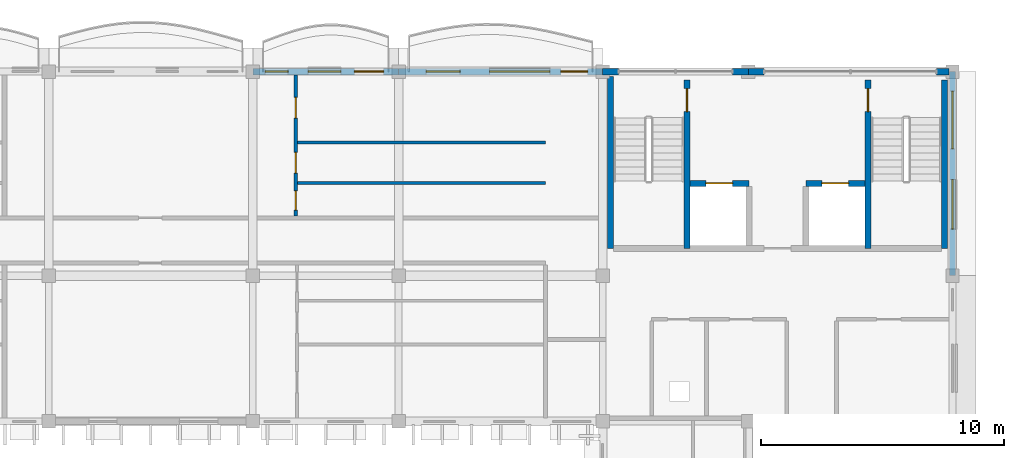
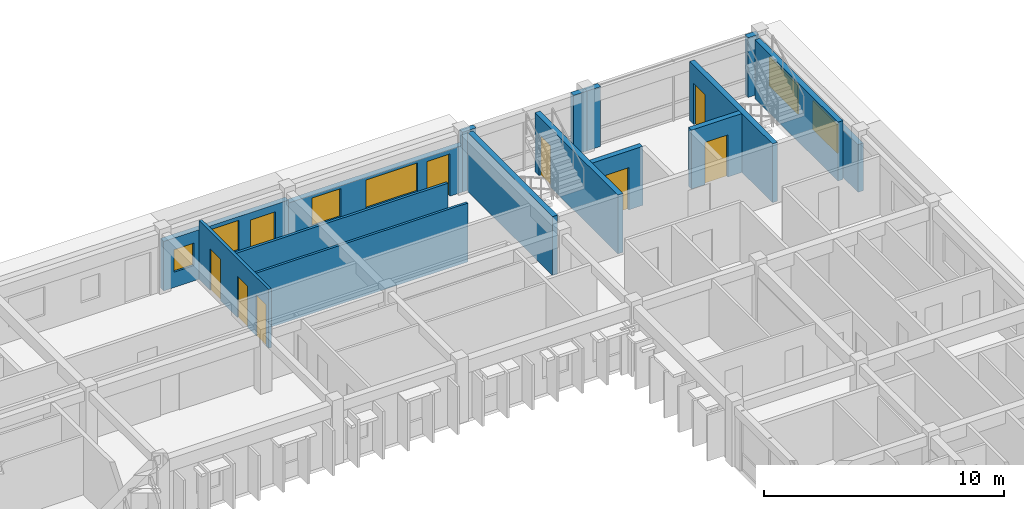
# One storey, part 36 of 54: 16 walls, 9 doors, 6 windows, 15 openings.
"""IFC4 building model written with IfcOpenShell, lengths in metres."""

from ifc_helpers import new_model, si_unit, direction, frame, frame_2d, origin, place, context, subcontext, project, spatial, rectangle, extrude, material, layer, layer_set, type_object, element, fill, save


model = new_model("IFC4")

# Units and contexts
model_context = context("Model", 3, precision=1e-05, world=origin(), true_north=direction((0.0, 1.0)))
body_context = subcontext(model_context, "Body", "Model", "MODEL_VIEW")
ifc_project = project(units=[si_unit("LENGTHUNIT", "METRE"), si_unit("AREAUNIT", "SQUARE_METRE"), si_unit("VOLUMEUNIT", "CUBIC_METRE"), si_unit("PLANEANGLEUNIT", "RADIAN"), si_unit("MASSUNIT", "GRAM", prefix="KILO"), si_unit("THERMODYNAMICTEMPERATUREUNIT", "KELVIN")], contexts=[model_context])

# Site, building, storey
site_placement = place(None, origin())
site = spatial("IfcSite", under=ifc_project, at=site_placement, CompositionType="ELEMENT")
building_placement = place(site_placement, origin())
building = spatial("IfcBuilding", under=site, at=building_placement, Name="Thalorik Housing Commons", CompositionType="ELEMENT")
storey_placement = place(building_placement, frame((0.0, 0.0, 31.199951171875)))
storey = spatial("IfcBuildingStorey", under=building, at=storey_placement, Name="L09", CompositionType="ELEMENT", Elevation=31.199951171875)

# Wall, opening, door
ifc_material_1 = material(Name="Concrete C40/50", Category="concrete")
ifc_layer_1 = layer(ifc_material_1, 0.25, Name="Concrete C40/50", Category="concrete")
ifc_layer_set_1 = layer_set([ifc_layer_1], Name="Concrete C40/50")
wall_type_1 = type_object("IfcWallType", Name="ARC-WAL-CORE-250", PredefinedType="SHEAR", material=ifc_layer_set_1)
wall_1_placement = place(storey_placement, frame((155.875, 123.25, 0.0), z_axis=(0.0, 0.0, 1.0), x_axis=(0.0, -1.0, 0.0)))
wall_1 = element("IfcWall", 1, at=wall_1_placement, inside=storey, type_object=wall_type_1, Name="L09 Core B Stair 1 Shear Wall", PredefinedType="SHEAR", context=body_context, shape_type="SweptSolid", body=[
    extrude(rectangle(XDim=6.925048828125, YDim=0.25, at=frame_2d((3.46240234375, 0.0))), origin(), (0.0, 0.0, 1.0), 3.0),
])
opening_1_placement = place(wall_1_placement, frame((0.35009765625, 0.0, 0.0)))
opening_1 = element("IfcOpeningElement", 2, at=opening_1_placement, cuts=wall_1, Name="Opening ID-0217", PredefinedType="OPENING", context=body_context, shape_type="SweptSolid", body=[
    extrude(rectangle(XDim=0.949951171875, YDim=2.10009765625, at=frame_2d((0.47509765625, 1.050048828125))), frame((0.0, 0.135009765625, 0.0), z_axis=(0.0, -1.0, 0.0), x_axis=(1.0, 0.0, 0.0)), (0.0, 0.0, 1.0), 0.27001953125),
])
ifc_material_2 = material(Name="Steel S355", Category="steel")
door_type_1 = type_object("IfcDoorType", Name="ARC-DR-FD60-950", OperationType="NOTDEFINED", PredefinedType="DOOR", material=ifc_material_2)
door_1_placement = place(opening_1_placement, origin())
door_1 = element("IfcDoor", 3, at=door_1_placement, inside=storey, type_object=door_type_1, Name="L09 Stair ST-B1 Fire Door", OperationType="SINGLE_SWING_RIGHT", OverallHeight=2.10009765625, OverallWidth=0.949951171875, PredefinedType="DOOR", context=body_context, shape_type="SweptSolid", body=[
    extrude(rectangle(XDim=0.949951171875, YDim=2.10009765625, at=frame_2d((0.47509765625, 1.050048828125))), frame((0.0, 0.02490234375, 0.0), z_axis=(0.0, -1.0, 0.0), x_axis=(1.0, 0.0, 0.0)), (0.0, 0.0, 1.0), 0.050048828125),
])
fill(opening_1, door_1)

# Walls
wall_2_placement = place(storey_placement, frame((152.72509765625, 123.39990234375, 0.0), z_axis=(0.0, 0.0, 1.0), x_axis=(0.0, -1.0, 0.0)))
element("IfcWall", 4, at=wall_2_placement, inside=storey, type_object=wall_type_1, Name="L09 Core B Stair 1 Outer Shear Wall", PredefinedType="SHEAR", context=body_context, shape_type="SweptSolid", body=[
    extrude(rectangle(XDim=7.074951171875, YDim=0.25, at=frame_2d((3.53759765625, 0.0))), origin(), (0.0, 0.0, 1.0), 3.0),
])
wall_3_placement = place(storey_placement, frame((166.47509765625, 123.25, 0.0), z_axis=(0.0, 0.0, 1.0), x_axis=(0.0, -1.0, 0.0)))
element("IfcWall", 5, at=wall_3_placement, inside=storey, type_object=wall_type_1, Name="L09 Core B Stair 2 Outer Shear Wall", PredefinedType="SHEAR", context=body_context, shape_type="SweptSolid", body=[
    extrude(rectangle(XDim=6.925048828125, YDim=0.25, at=frame_2d((3.46240234375, 0.0))), origin(), (0.0, 0.0, 1.0), 3.0),
])

# Wall, opening, door
wall_4_placement = place(storey_placement, frame((163.324951171875, 123.25, 0.0), z_axis=(0.0, 0.0, 1.0), x_axis=(0.0, -1.0, 0.0)))
wall_4 = element("IfcWall", 6, at=wall_4_placement, inside=storey, type_object=wall_type_1, Name="L09 Core B Stair 2 Shear Wall", PredefinedType="SHEAR", context=body_context, shape_type="SweptSolid", body=[
    extrude(rectangle(XDim=6.925048828125, YDim=0.25, at=frame_2d((3.46240234375, 0.0))), origin(), (0.0, 0.0, 1.0), 3.0),
])
opening_2_placement = place(wall_4_placement, frame((0.35009765625, 0.0, 0.0)))
opening_2 = element("IfcOpeningElement", 7, at=opening_2_placement, cuts=wall_4, Name="Opening ID-0218", PredefinedType="OPENING", context=body_context, shape_type="SweptSolid", body=[
    extrude(rectangle(XDim=0.949951171875, YDim=2.10009765625, at=frame_2d((0.47509765625, 1.050048828125))), frame((0.0, 0.135009765625, 0.0), z_axis=(0.0, -1.0, 0.0), x_axis=(1.0, 0.0, 0.0)), (0.0, 0.0, 1.0), 0.27001953125),
])
door_2_placement = place(opening_2_placement, origin())
door_2 = element("IfcDoor", 8, at=door_2_placement, inside=storey, type_object=door_type_1, Name="L09 Stair ST-B2 Fire Door", OperationType="SINGLE_SWING_LEFT", OverallHeight=2.10009765625, OverallWidth=0.949951171875, PredefinedType="DOOR", context=body_context, shape_type="SweptSolid", body=[
    extrude(rectangle(XDim=0.949951171875, YDim=2.10009765625, at=frame_2d((0.47509765625, 1.050048828125))), frame((0.0, 0.02490234375, 0.0), z_axis=(0.0, -1.0, 0.0), x_axis=(1.0, 0.0, 0.0)), (0.0, 0.0, 1.0), 0.050048828125),
])
fill(opening_2, door_2)

wall_5_placement = place(storey_placement, frame((156.0, 119.0, 0.0), z_axis=(0.0, 0.0, 1.0), x_axis=(1.0, 0.0, 0.0)))
wall_5 = element("IfcWall", 9, at=wall_5_placement, inside=storey, type_object=wall_type_1, Name="L09 Lift LF-B1 Front Shaft Wall", PredefinedType="SHEAR", context=body_context, shape_type="SweptSolid", body=[
    extrude(rectangle(XDim=2.425048828125, YDim=0.25, at=frame_2d((1.21240234375, 0.0))), origin(), (0.0, 0.0, 1.0), 3.0),
])
opening_3_placement = place(wall_5_placement, frame((0.64990234375, 0.0, 0.0)))
opening_3 = element("IfcOpeningElement", 10, at=opening_3_placement, cuts=wall_5, Name="Opening LD-LF-B1-L09", PredefinedType="OPENING", context=body_context, shape_type="SweptSolid", body=[
    extrude(rectangle(XDim=1.10009765625, YDim=2.14990234375, at=frame_2d((0.550048828125, 1.074951171875))), frame((0.0, 0.135009765625, 0.0), z_axis=(0.0, -1.0, 0.0), x_axis=(1.0, 0.0, 0.0)), (0.0, 0.0, 1.0), 0.27001953125),
])
door_type_2 = type_object("IfcDoorType", Name="ARC-DR-LIFT-1100", OperationType="NOTDEFINED", PredefinedType="DOOR", material=ifc_material_2)
door_3_placement = place(opening_3_placement, origin())
door_3 = element("IfcDoor", 11, at=door_3_placement, inside=storey, type_object=door_type_2, Name="L09 Lift LF-B1 Landing Door", OperationType="SLIDING_TO_LEFT", OverallHeight=2.14990234375, OverallWidth=1.10009765625, PredefinedType="DOOR", context=body_context, shape_type="SweptSolid", body=[
    extrude(rectangle(XDim=1.10009765625, YDim=2.14990234375, at=frame_2d((0.550048828125, 1.074951171875))), frame((0.0, 0.02490234375, 0.0), z_axis=(0.0, -1.0, 0.0), x_axis=(1.0, 0.0, 0.0)), (0.0, 0.0, 1.0), 0.050048828125),
])
fill(opening_3, door_3)

wall_6_placement = place(storey_placement, frame((160.77490234375, 119.0, 0.0), z_axis=(0.0, 0.0, 1.0), x_axis=(1.0, 0.0, 0.0)))
wall_6 = element("IfcWall", 12, at=wall_6_placement, inside=storey, type_object=wall_type_1, Name="L09 Lift LP-B2 Front Shaft Wall", PredefinedType="SHEAR", context=body_context, shape_type="SweptSolid", body=[
    extrude(rectangle(XDim=2.425048828125, YDim=0.25, at=frame_2d((1.21240234375, 0.0))), origin(), (0.0, 0.0, 1.0), 3.0),
])
opening_4_placement = place(wall_6_placement, frame((0.64990234375, 0.0, 0.0)))
opening_4 = element("IfcOpeningElement", 13, at=opening_4_placement, cuts=wall_6, Name="Opening LD-LP-B2-L09", PredefinedType="OPENING", context=body_context, shape_type="SweptSolid", body=[
    extrude(rectangle(XDim=1.10009765625, YDim=2.14990234375, at=frame_2d((0.550048828125, 1.074951171875))), frame((0.0, 0.135009765625, 0.0), z_axis=(0.0, -1.0, 0.0), x_axis=(1.0, 0.0, 0.0)), (0.0, 0.0, 1.0), 0.27001953125),
])
door_4_placement = place(opening_4_placement, origin())
door_4 = element("IfcDoor", 14, at=door_4_placement, inside=storey, type_object=door_type_2, Name="L09 Lift LP-B2 Landing Door", OperationType="SLIDING_TO_LEFT", OverallHeight=2.14990234375, OverallWidth=1.10009765625, PredefinedType="DOOR", context=body_context, shape_type="SweptSolid", body=[
    extrude(rectangle(XDim=1.10009765625, YDim=2.14990234375, at=frame_2d((0.550048828125, 1.074951171875))), frame((0.0, 0.02490234375, 0.0), z_axis=(0.0, -1.0, 0.0), x_axis=(1.0, 0.0, 0.0)), (0.0, 0.0, 1.0), 0.050048828125),
])
fill(opening_4, door_4)

# Wall, openings, windows
ifc_material_3 = material(Name="White precast concrete C40/50", Category="concrete")
ifc_layer_2 = layer(ifc_material_3, 0.264892578125, Name="White precast concrete C40/50", Category="concrete")
ifc_layer_set_2 = layer_set([ifc_layer_2], Name="White precast concrete C40/50")
wall_type_2 = type_object("IfcWallType", Name="ARC-WAL-EXT-265", PredefinedType="STANDARD", material=ifc_layer_set_2)
wall_7_placement = place(storey_placement, frame((166.800048828125, 115.199951171875, 0.0), z_axis=(0.0, 0.0, 1.0), x_axis=(0.0, 1.0, 0.0)))
wall_7 = element("IfcWall", 15, at=wall_7_placement, inside=storey, type_object=wall_type_2, Name="L09 Exterior Wall WAL-EXT-L09-B-0708", PredefinedType="STANDARD", context=body_context, shape_type="SweptSolid", body=[
    extrude(rectangle(XDim=8.400146484375, YDim=0.264892578125, at=frame_2d((4.2001953125, 0.0))), origin(), (0.0, 0.0, 1.0), 2.425048828125),
])
opening_5_placement = place(wall_7_placement, frame((1.911376953125, 0.0, 0.780029296875)))
opening_5 = element("IfcOpeningElement", 16, at=opening_5_placement, cuts=wall_7, Name="Opening W-62", PredefinedType="OPENING", context=body_context, shape_type="SweptSolid", body=[
    extrude(rectangle(XDim=2.0400390625, YDim=1.4599609375, at=frame_2d((1.02001953125, 0.72998046875))), frame((0.0, 0.142578125, 0.0), z_axis=(0.0, -1.0, 0.0), x_axis=(1.0, 0.0, 0.0)), (0.0, 0.0, 1.0), 0.284912109375),
])
opening_6_placement = place(wall_7_placement, frame((5.2138671875, 0.0, 0.780029296875)))
opening_6 = element("IfcOpeningElement", 17, at=opening_6_placement, cuts=wall_7, Name="Opening W-69", PredefinedType="OPENING", context=body_context, shape_type="SweptSolid", body=[
    extrude(rectangle(XDim=2.3798828125, YDim=1.47998046875, at=frame_2d((1.18994140625, 0.739990234375))), frame((0.0, 0.142578125, 0.0), z_axis=(0.0, -1.0, 0.0), x_axis=(1.0, 0.0, 0.0)), (0.0, 0.0, 1.0), 0.284912109375),
])
ifc_material_4 = material(Name="Anodised aluminium and solar-control low-E glass", Category="aluminium")
window_type_1 = type_object("IfcWindowType", Name="ARC-WIN-62", PartitioningType="DOUBLE_PANEL_VERTICAL", PredefinedType="WINDOW", material=ifc_material_4)
window_1_placement = place(opening_5_placement, origin())
window_1 = element("IfcWindow", 18, at=window_1_placement, inside=storey, type_object=window_type_1, Name="L09 Facade Window 1303", OverallHeight=1.4599609375, OverallWidth=2.0400390625, PartitioningType="DOUBLE_PANEL_VERTICAL", PredefinedType="WINDOW", context=body_context, shape_type="SweptSolid", body=[
    extrude(rectangle(XDim=2.0400390625, YDim=1.4599609375, at=frame_2d((1.02001953125, 0.72998046875))), frame((0.0, 0.030029296875, 0.0), z_axis=(0.0, -1.0, 0.0), x_axis=(1.0, 0.0, 0.0)), (0.0, 0.0, 1.0), 0.06005859375),
])
fill(opening_5, window_1)
window_type_2 = type_object("IfcWindowType", Name="ARC-WIN-69", PartitioningType="DOUBLE_PANEL_VERTICAL", PredefinedType="WINDOW", material=ifc_material_4)
window_2_placement = place(opening_6_placement, origin())
window_2 = element("IfcWindow", 19, at=window_2_placement, inside=storey, type_object=window_type_2, Name="L09 Facade Window 1304", OverallHeight=1.47998046875, OverallWidth=2.3798828125, PartitioningType="DOUBLE_PANEL_VERTICAL", PredefinedType="WINDOW", context=body_context, shape_type="SweptSolid", body=[
    extrude(rectangle(XDim=2.3798828125, YDim=1.47998046875, at=frame_2d((1.18994140625, 0.739990234375))), frame((0.0, 0.030029296875, 0.0), z_axis=(0.0, -1.0, 0.0), x_axis=(1.0, 0.0, 0.0)), (0.0, 0.0, 1.0), 0.06005859375),
])
fill(opening_6, window_2)

# Walls
wall_8_placement = place(storey_placement, frame((166.66552734375, 123.60009765625, 0.0), z_axis=(0.0, 0.0, 1.0), x_axis=(-1.0, 0.0, 0.0)))
element("IfcWall", 20, at=wall_8_placement, inside=storey, type_object=wall_type_2, Name="L09 Exterior Wall WAL-PIERL-L09-B-0709", PredefinedType="STANDARD", context=body_context, shape_type="SweptSolid", body=[
    extrude(rectangle(XDim=0.515625, YDim=0.264892578125, at=frame_2d((0.2578125, 0.0))), origin(), (0.0, 0.0, 1.0), 3.0400390625),
])
wall_9_placement = place(storey_placement, frame((159.050048828125, 123.60009765625, 0.0), z_axis=(0.0, 0.0, 1.0), x_axis=(-1.0, 0.0, 0.0)))
element("IfcWall", 21, at=wall_9_placement, inside=storey, type_object=wall_type_2, Name="L09 Exterior Wall WAL-PIERR-L09-B-0709", PredefinedType="STANDARD", context=body_context, shape_type="SweptSolid", body=[
    extrude(rectangle(XDim=0.650146484375, YDim=0.264892578125, at=frame_2d((0.3251953125, 0.0))), origin(), (0.0, 0.0, 1.0), 3.0400390625),
])
wall_10_placement = place(storey_placement, frame((158.39990234375, 123.60009765625, 0.0), z_axis=(0.0, 0.0, 1.0), x_axis=(-1.0, 0.0, 0.0)))
element("IfcWall", 22, at=wall_10_placement, inside=storey, type_object=wall_type_2, Name="L09 Exterior Wall WAL-PIERL-L09-B-0710", PredefinedType="STANDARD", context=body_context, shape_type="SweptSolid", body=[
    extrude(rectangle(XDim=0.64990234375, YDim=0.264892578125, at=frame_2d((0.324951171875, 0.0))), origin(), (0.0, 0.0, 1.0), 3.0400390625),
])
wall_11_placement = place(storey_placement, frame((153.050048828125, 123.60009765625, 0.0), z_axis=(0.0, 0.0, 1.0), x_axis=(-1.0, 0.0, 0.0)))
element("IfcWall", 23, at=wall_11_placement, inside=storey, type_object=wall_type_2, Name="L09 Exterior Wall WAL-PIERR-L09-B-0710", PredefinedType="STANDARD", context=body_context, shape_type="SweptSolid", body=[
    extrude(rectangle(XDim=0.650146484375, YDim=0.264892578125, at=frame_2d((0.3251953125, 0.0))), origin(), (0.0, 0.0, 1.0), 3.0400390625),
])

# Wall, openings, door, windows
wall_12_placement = place(storey_placement, frame((152.39990234375, 123.60009765625, 0.0), z_axis=(0.0, 0.0, 1.0), x_axis=(-1.0, 0.0, 0.0)))
wall_12 = element("IfcWall", 24, at=wall_12_placement, inside=storey, type_object=wall_type_2, Name="L09 Exterior Wall WAL-EXT-L09-B-0711", PredefinedType="STANDARD", context=body_context, shape_type="SweptSolid", body=[
    extrude(rectangle(XDim=8.39990234375, YDim=0.264892578125, at=frame_2d((4.199951171875, 0.0))), origin(), (0.0, 0.0, 1.0), 2.375),
])
opening_7_placement = place(wall_12_placement, frame((0.6201171875, 0.0, 0.0)))
opening_7 = element("IfcOpeningElement", 25, at=opening_7_placement, cuts=wall_12, Name="Opening ED-0236", PredefinedType="OPENING", context=body_context, shape_type="SweptSolid", body=[
    extrude(rectangle(XDim=1.10009765625, YDim=2.14990234375, at=frame_2d((0.550048828125, 1.074951171875))), frame((0.0, 0.142578125, 0.0), z_axis=(0.0, -1.0, 0.0), x_axis=(1.0, 0.0, 0.0)), (0.0, 0.0, 1.0), 0.284912109375),
])
opening_8_placement = place(wall_12_placement, frame((2.175048828125, 0.0, 0.780029296875)))
opening_8 = element("IfcOpeningElement", 26, at=opening_8_placement, cuts=wall_12, Name="Opening W-71", PredefinedType="OPENING", context=body_context, shape_type="SweptSolid", body=[
    extrude(rectangle(XDim=2.47998046875, YDim=1.4599609375, at=frame_2d((1.239990234375, 0.72998046875))), frame((0.0, 0.142578125, 0.0), z_axis=(0.0, -1.0, 0.0), x_axis=(1.0, 0.0, 0.0)), (0.0, 0.0, 1.0), 0.284912109375),
])
opening_9_placement = place(wall_12_placement, frame((5.864990234375, 0.0, 0.780029296875)))
opening_9 = element("IfcOpeningElement", 27, at=opening_9_placement, cuts=wall_12, Name="Opening W-08", PredefinedType="OPENING", context=body_context, shape_type="SweptSolid", body=[
    extrude(rectangle(XDim=1.39990234375, YDim=1.449951171875, at=frame_2d((0.699951171875, 0.72509765625))), frame((0.0, 0.142578125, 0.0), z_axis=(0.0, -1.0, 0.0), x_axis=(1.0, 0.0, 0.0)), (0.0, 0.0, 1.0), 0.284912109375),
])
ifc_material_5 = material(Name="Anodised aluminium and laminated safety glass", Category="aluminium")
door_type_3 = type_object("IfcDoorType", Name="ARC-DR-BAL-1100", OperationType="NOTDEFINED", PredefinedType="DOOR", material=ifc_material_5)
door_5_placement = place(opening_7_placement, frame((1.10009765625, 0.0, 0.0), z_axis=(0.0, 0.0, 1.0), x_axis=(-1.0, 0.0, 0.0)))
door_5 = element("IfcDoor", 28, at=door_5_placement, inside=storey, type_object=door_type_3, Name="L09 Block B Balcony Glazed Door", OperationType="SINGLE_SWING_LEFT", OverallHeight=2.14990234375, OverallWidth=1.10009765625, PredefinedType="DOOR", context=body_context, shape_type="SweptSolid", body=[
    extrude(rectangle(XDim=1.10009765625, YDim=2.14990234375, at=frame_2d((0.550048828125, 1.074951171875))), frame((0.0, 0.02490234375, 0.0), z_axis=(0.0, -1.0, 0.0), x_axis=(1.0, 0.0, 0.0)), (0.0, 0.0, 1.0), 0.050048828125),
])
fill(opening_7, door_5)
window_type_3 = type_object("IfcWindowType", Name="ARC-WIN-08", PartitioningType="SINGLE_PANEL", PredefinedType="WINDOW", material=ifc_material_4)
window_3_placement = place(opening_9_placement, origin())
window_3 = element("IfcWindow", 29, at=window_3_placement, inside=storey, type_object=window_type_3, Name="L09 Facade Window 1306", OverallHeight=1.449951171875, OverallWidth=1.39990234375, PartitioningType="SINGLE_PANEL", PredefinedType="WINDOW", context=body_context, shape_type="SweptSolid", body=[
    extrude(rectangle(XDim=1.39990234375, YDim=1.449951171875, at=frame_2d((0.699951171875, 0.72509765625))), frame((0.0, 0.030029296875, 0.0), z_axis=(0.0, -1.0, 0.0), x_axis=(1.0, 0.0, 0.0)), (0.0, 0.0, 1.0), 0.06005859375),
])
fill(opening_9, window_3)
window_type_4 = type_object("IfcWindowType", Name="ARC-WIN-71", PartitioningType="DOUBLE_PANEL_VERTICAL", PredefinedType="WINDOW", material=ifc_material_4)
window_4_placement = place(opening_8_placement, origin())
window_4 = element("IfcWindow", 30, at=window_4_placement, inside=storey, type_object=window_type_4, Name="L09 Facade Window 1305", OverallHeight=1.4599609375, OverallWidth=2.47998046875, PartitioningType="DOUBLE_PANEL_VERTICAL", PredefinedType="WINDOW", context=body_context, shape_type="SweptSolid", body=[
    extrude(rectangle(XDim=2.47998046875, YDim=1.4599609375, at=frame_2d((1.239990234375, 0.72998046875))), frame((0.0, 0.030029296875, 0.0), z_axis=(0.0, -1.0, 0.0), x_axis=(1.0, 0.0, 0.0)), (0.0, 0.0, 1.0), 0.06005859375),
])
fill(opening_8, window_4)

wall_13_placement = place(storey_placement, frame((144.0, 123.60009765625, 0.0), z_axis=(0.0, 0.0, 1.0), x_axis=(-1.0, 0.0, 0.0)))
wall_13 = element("IfcWall", 31, at=wall_13_placement, inside=storey, type_object=wall_type_2, Name="L09 Exterior Wall WAL-EXT-L09-B-0712", PredefinedType="STANDARD", context=body_context, shape_type="SweptSolid", body=[
    extrude(rectangle(XDim=6.0, YDim=0.264892578125, at=frame_2d((3.0, 0.0))), origin(), (0.0, 0.0, 1.0), 2.525146484375),
])
opening_10_placement = place(wall_13_placement, frame((0.6201171875, 0.0, 0.0)))
opening_10 = element("IfcOpeningElement", 32, at=opening_10_placement, cuts=wall_13, Name="Opening ED-0237", PredefinedType="OPENING", context=body_context, shape_type="SweptSolid", body=[
    extrude(rectangle(XDim=1.199951171875, YDim=2.14990234375, at=frame_2d((0.60009765625, 1.074951171875))), frame((0.0, 0.142578125, 0.0), z_axis=(0.0, -1.0, 0.0), x_axis=(1.0, 0.0, 0.0)), (0.0, 0.0, 1.0), 0.284912109375),
])
opening_11_placement = place(wall_13_placement, frame((2.375244140625, 0.0, 0.780029296875)))
opening_11 = element("IfcOpeningElement", 33, at=opening_11_placement, cuts=wall_13, Name="Opening W-07", PredefinedType="OPENING", context=body_context, shape_type="SweptSolid", body=[
    extrude(rectangle(XDim=1.35009765625, YDim=1.550048828125, at=frame_2d((0.675048828125, 0.77490234375))), frame((0.0, 0.142578125, 0.0), z_axis=(0.0, -1.0, 0.0), x_axis=(1.0, 0.0, 0.0)), (0.0, 0.0, 1.0), 0.284912109375),
])
opening_12_placement = place(wall_13_placement, frame((4.545166015625, 0.0, 0.780029296875)))
opening_12 = element("IfcOpeningElement", 34, at=opening_12_placement, cuts=wall_13, Name="Opening W-43", PredefinedType="OPENING", context=body_context, shape_type="SweptSolid", body=[
    extrude(rectangle(XDim=0.949951171875, YDim=1.14990234375, at=frame_2d((0.47509765625, 0.574951171875))), frame((0.0, 0.142578125, 0.0), z_axis=(0.0, -1.0, 0.0), x_axis=(1.0, 0.0, 0.0)), (0.0, 0.0, 1.0), 0.284912109375),
])
door_type_4 = type_object("IfcDoorType", Name="ARC-DR-BAL-1200", OperationType="NOTDEFINED", PredefinedType="DOOR", material=ifc_material_5)
door_6_placement = place(opening_10_placement, frame((1.199951171875, 0.0, 0.0), z_axis=(0.0, 0.0, 1.0), x_axis=(-1.0, 0.0, 0.0)))
door_6 = element("IfcDoor", 35, at=door_6_placement, inside=storey, type_object=door_type_4, Name="L09 Block B Balcony Glazed Door", OperationType="SINGLE_SWING_RIGHT", OverallHeight=2.14990234375, OverallWidth=1.199951171875, PredefinedType="DOOR", context=body_context, shape_type="SweptSolid", body=[
    extrude(rectangle(XDim=1.199951171875, YDim=2.14990234375, at=frame_2d((0.60009765625, 1.074951171875))), frame((0.0, 0.02490234375, 0.0), z_axis=(0.0, -1.0, 0.0), x_axis=(1.0, 0.0, 0.0)), (0.0, 0.0, 1.0), 0.050048828125),
])
fill(opening_10, door_6)
window_type_5 = type_object("IfcWindowType", Name="ARC-WIN-07", PartitioningType="SINGLE_PANEL", PredefinedType="WINDOW", material=ifc_material_4)
window_5_placement = place(opening_11_placement, origin())
window_5 = element("IfcWindow", 36, at=window_5_placement, inside=storey, type_object=window_type_5, Name="L09 Facade Window 1307", OverallHeight=1.550048828125, OverallWidth=1.35009765625, PartitioningType="SINGLE_PANEL", PredefinedType="WINDOW", context=body_context, shape_type="SweptSolid", body=[
    extrude(rectangle(XDim=1.35009765625, YDim=1.550048828125, at=frame_2d((0.675048828125, 0.77490234375))), frame((0.0, 0.030029296875, 0.0), z_axis=(0.0, -1.0, 0.0), x_axis=(1.0, 0.0, 0.0)), (0.0, 0.0, 1.0), 0.06005859375),
])
fill(opening_11, window_5)
window_type_6 = type_object("IfcWindowType", Name="ARC-WIN-43", PartitioningType="SINGLE_PANEL", PredefinedType="WINDOW", material=ifc_material_4)
window_6_placement = place(opening_12_placement, origin())
window_6 = element("IfcWindow", 37, at=window_6_placement, inside=storey, type_object=window_type_6, Name="L09 Facade Window 1308", OverallHeight=1.14990234375, OverallWidth=0.949951171875, PartitioningType="SINGLE_PANEL", PredefinedType="WINDOW", context=body_context, shape_type="SweptSolid", body=[
    extrude(rectangle(XDim=0.949951171875, YDim=1.14990234375, at=frame_2d((0.47509765625, 0.574951171875))), frame((0.0, 0.030029296875, 0.0), z_axis=(0.0, -1.0, 0.0), x_axis=(1.0, 0.0, 0.0)), (0.0, 0.0, 1.0), 0.06005859375),
])
fill(opening_12, window_6)

# Walls
ifc_material_6 = material(Name="Gypsum moisture-resistant partition", Category="masonry")
ifc_layer_3 = layer(ifc_material_6, 0.114990234375, Name="Gypsum moisture-resistant partition", Category="masonry")
ifc_layer_set_3 = layer_set([ifc_layer_3], Name="Gypsum moisture-resistant partition")
wall_type_3 = type_object("IfcWallType", Name="ARC-WAL-PART-115", PredefinedType="PARTITIONING", material=ifc_layer_set_3)
wall_14_placement = place(storey_placement, frame((139.841552734375, 119.010498046875, 0.0), z_axis=(0.0, 0.0, 1.0), x_axis=(1.0, 0.0, 0.0)))
element("IfcWall", 38, at=wall_14_placement, inside=storey, type_object=wall_type_3, Name="L09 Unit 3B Wet Wall", PredefinedType="PARTITIONING", context=body_context, shape_type="SweptSolid", body=[
    extrude(rectangle(XDim=10.20849609375, YDim=0.114990234375, at=frame_2d((5.104248046875, 0.0))), origin(), (0.0, 0.0, 1.0), 3.0),
])
ifc_material_7 = material(Name="Gypsum acoustic stud partition", Category="masonry")
ifc_layer_4 = layer(ifc_material_7, 0.125, Name="Gypsum acoustic stud partition", Category="masonry")
ifc_layer_set_4 = layer_set([ifc_layer_4], Name="Gypsum acoustic stud partition")
wall_type_4 = type_object("IfcWallType", Name="ARC-WAL-PART-125", PredefinedType="PARTITIONING", material=ifc_layer_set_4)
wall_15_placement = place(storey_placement, frame((139.841552734375, 120.67919921875, 0.0), z_axis=(0.0, 0.0, 1.0), x_axis=(1.0, 0.0, 0.0)))
element("IfcWall", 39, at=wall_15_placement, inside=storey, type_object=wall_type_4, Name="L09 Unit 3B Bedroom Partition", PredefinedType="PARTITIONING", context=body_context, shape_type="SweptSolid", body=[
    extrude(rectangle(XDim=10.20849609375, YDim=0.125, at=frame_2d((5.104248046875, 0.0))), origin(), (0.0, 0.0, 1.0), 3.0),
])

# Wall, openings, doors
ifc_material_8 = material(Name="Ceramic masonry partition wall", Category="masonry")
ifc_layer_5 = layer(ifc_material_8, 0.139892578125, Name="Ceramic masonry partition wall", Category="masonry")
ifc_layer_set_5 = layer_set([ifc_layer_5], Name="Ceramic masonry partition wall")
wall_type_5 = type_object("IfcWallType", Name="ARC-WAL-PART-140", PredefinedType="PARTITIONING", material=ifc_layer_set_5)
wall_16_placement = place(storey_placement, frame((139.76953125, 117.66455078125, 0.0), z_axis=(0.0, 0.0, 1.0), x_axis=(0.0, 1.0, 0.0)))
wall_16 = element("IfcWall", 40, at=wall_16_placement, inside=storey, type_object=wall_type_5, Name="L09 Unit 3B Spine Partition", PredefinedType="PARTITIONING", context=body_context, shape_type="SweptSolid", body=[
    extrude(rectangle(XDim=5.801025390625, YDim=0.139892578125, at=frame_2d((2.900390625, 0.0))), origin(), (0.0, 0.0, 1.0), 3.0),
])
opening_13_placement = place(wall_16_placement, frame((0.230712890625, 0.0, 0.0)))
opening_13 = element("IfcOpeningElement", 41, at=opening_13_placement, cuts=wall_16, Name="Opening ID-1397", PredefinedType="OPENING", context=body_context, shape_type="SweptSolid", body=[
    extrude(rectangle(XDim=0.800048828125, YDim=2.10009765625, at=frame_2d((0.39990234375, 1.050048828125))), frame((0.0, 0.080078125, 0.0), z_axis=(0.0, -1.0, 0.0), x_axis=(1.0, 0.0, 0.0)), (0.0, 0.0, 1.0), 0.159912109375),
])
opening_14_placement = place(wall_16_placement, frame((1.75537109375, 0.0, 0.0)))
opening_14 = element("IfcOpeningElement", 42, at=opening_14_placement, cuts=wall_16, Name="Opening ID-1398", PredefinedType="OPENING", context=body_context, shape_type="SweptSolid", body=[
    extrude(rectangle(XDim=0.85009765625, YDim=2.10009765625, at=frame_2d((0.425048828125, 1.050048828125))), frame((0.0, 0.080078125, 0.0), z_axis=(0.0, -1.0, 0.0), x_axis=(1.0, 0.0, 0.0)), (0.0, 0.0, 1.0), 0.159912109375),
])
opening_15_placement = place(wall_16_placement, frame((4.02001953125, 0.0, 0.0)))
opening_15 = element("IfcOpeningElement", 43, at=opening_15_placement, cuts=wall_16, Name="Opening ID-1399", PredefinedType="OPENING", context=body_context, shape_type="SweptSolid", body=[
    extrude(rectangle(XDim=0.85009765625, YDim=2.10009765625, at=frame_2d((0.425048828125, 1.050048828125))), frame((0.0, 0.080078125, 0.0), z_axis=(0.0, -1.0, 0.0), x_axis=(1.0, 0.0, 0.0)), (0.0, 0.0, 1.0), 0.159912109375),
])
ifc_material_9 = material(Name="Moisture-resistant timber", Category="wood")
door_type_5 = type_object("IfcDoorType", Name="ARC-DR-INT-800", OperationType="NOTDEFINED", PredefinedType="DOOR", material=ifc_material_9)
door_7_placement = place(opening_13_placement, origin())
door_7 = element("IfcDoor", 44, at=door_7_placement, inside=storey, type_object=door_type_5, Name="L09 Accessible Bathroom Door", OperationType="SINGLE_SWING_RIGHT", OverallHeight=2.10009765625, OverallWidth=0.800048828125, PredefinedType="DOOR", context=body_context, shape_type="SweptSolid", body=[
    extrude(rectangle(XDim=0.800048828125, YDim=2.10009765625, at=frame_2d((0.39990234375, 1.050048828125))), frame((0.0, 0.02490234375, 0.0), z_axis=(0.0, -1.0, 0.0), x_axis=(1.0, 0.0, 0.0)), (0.0, 0.0, 1.0), 0.050048828125),
])
fill(opening_13, door_7)
ifc_material_10 = material(Name="Engineered oak timber", Category="wood")
door_type_6 = type_object("IfcDoorType", Name="ARC-DR-INT-850", OperationType="NOTDEFINED", PredefinedType="DOOR", material=ifc_material_10)
door_8_placement = place(opening_14_placement, origin())
door_8 = element("IfcDoor", 45, at=door_8_placement, inside=storey, type_object=door_type_6, Name="L09 Eat-In Kitchen Door", OperationType="SINGLE_SWING_LEFT", OverallHeight=2.10009765625, OverallWidth=0.85009765625, PredefinedType="DOOR", context=body_context, shape_type="SweptSolid", body=[
    extrude(rectangle(XDim=0.85009765625, YDim=2.10009765625, at=frame_2d((0.425048828125, 1.050048828125))), frame((0.0, 0.02490234375, 0.0), z_axis=(0.0, -1.0, 0.0), x_axis=(1.0, 0.0, 0.0)), (0.0, 0.0, 1.0), 0.050048828125),
])
fill(opening_14, door_8)
door_9_placement = place(opening_15_placement, origin())
door_9 = element("IfcDoor", 46, at=door_9_placement, inside=storey, type_object=door_type_6, Name="L09 Master Bedroom Door", OperationType="SINGLE_SWING_RIGHT", OverallHeight=2.10009765625, OverallWidth=0.85009765625, PredefinedType="DOOR", context=body_context, shape_type="SweptSolid", body=[
    extrude(rectangle(XDim=0.85009765625, YDim=2.10009765625, at=frame_2d((0.425048828125, 1.050048828125))), frame((0.0, 0.02490234375, 0.0), z_axis=(0.0, -1.0, 0.0), x_axis=(1.0, 0.0, 0.0)), (0.0, 0.0, 1.0), 0.050048828125),
])
fill(opening_15, door_9)

save(model, "model.ifc")
